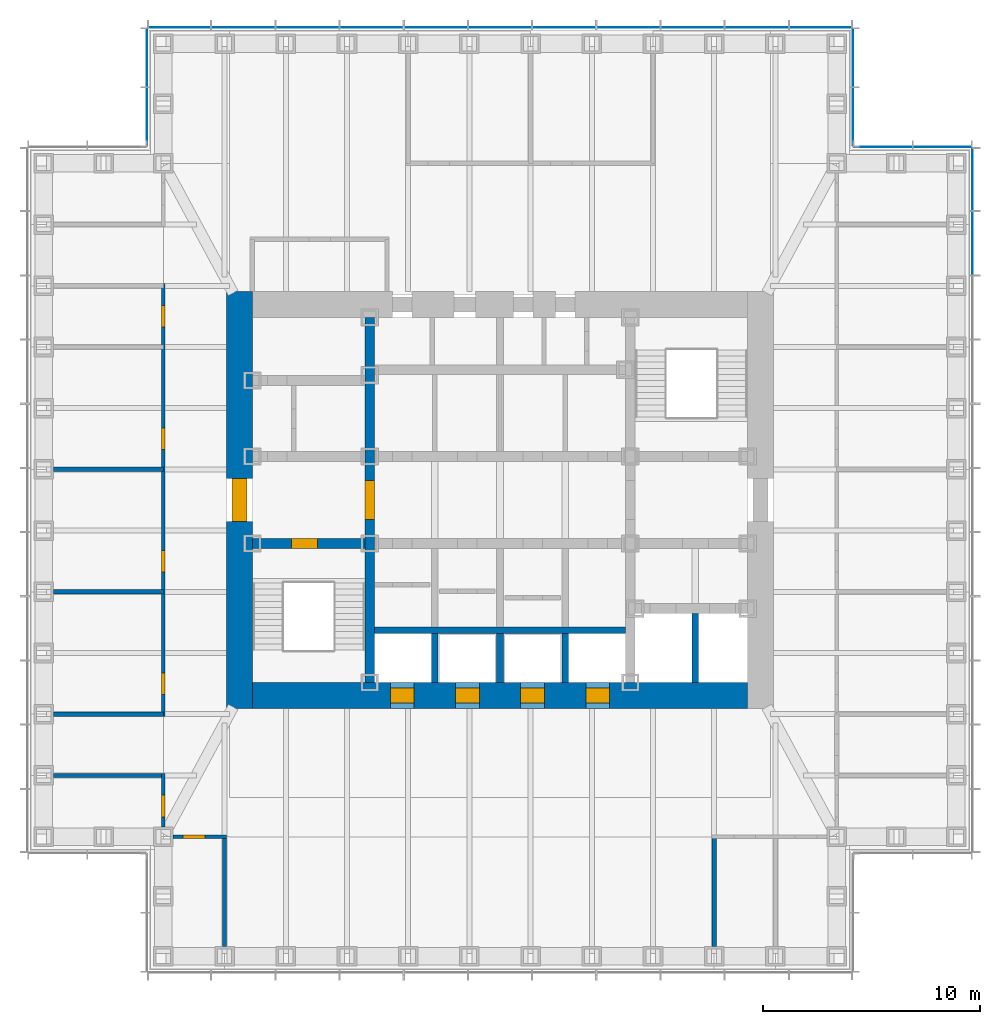
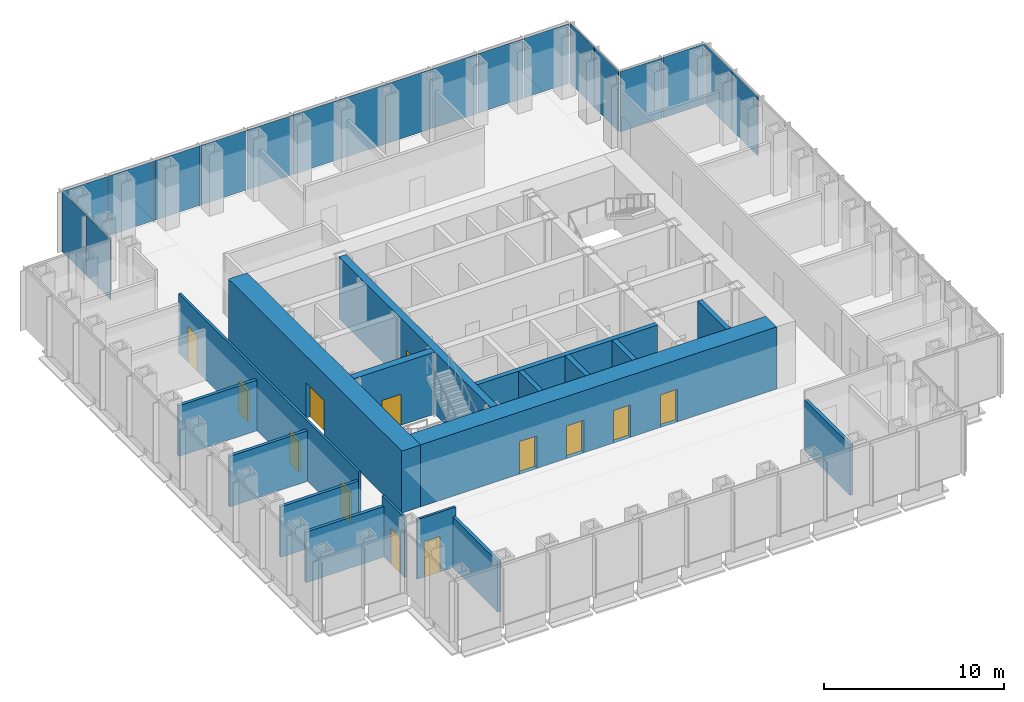
# One storey, part 8 of 17: 19 plates, 18 walls, 13 doors, 13 openings, 5 elements without a shape of their own.
"""IFC4 building model written with IfcOpenShell, lengths in metres."""

from ifc_helpers import new_model, si_unit, direction, frame, frame_2d, origin, origin_2d, place, context, subcontext, project, spatial, rectangle, extrude, material, layer, layer_set, type_object, element, fill, aggregate, save


model = new_model("IFC4")

# Units and contexts
model_context = context("Model", 3, precision=1e-05, world=origin(), true_north=direction((0.0, 1.0)))
body_context = subcontext(model_context, "Body", "Model", "MODEL_VIEW")
ifc_project = project(units=[si_unit("LENGTHUNIT", "METRE"), si_unit("AREAUNIT", "SQUARE_METRE"), si_unit("VOLUMEUNIT", "CUBIC_METRE"), si_unit("PLANEANGLEUNIT", "RADIAN"), si_unit("MASSUNIT", "GRAM", prefix="KILO")], contexts=[model_context])

# Site, building, storey
site_placement = place(None, origin())
site = spatial("IfcSite", under=ifc_project, at=site_placement, CompositionType="ELEMENT")
building_placement = place(site_placement, origin())
building = spatial("IfcBuilding", under=site, at=building_placement, Name="Daluyong Arena Tower", CompositionType="ELEMENT")
storey_placement = place(building_placement, frame((0.0, 0.0, 193.89990234375)))
storey = spatial("IfcBuildingStorey", under=building, at=storey_placement, Name="L43", CompositionType="ELEMENT", Elevation=193.89990234375)

# Curtain wall, plates
ifc_material_1 = material(Name="Bronze anodised aluminium and glass", Category="aluminium")
curtain_wall_type_1 = type_object("IfcCurtainWallType", Name="Curtain wall CW3", PredefinedType="USERDEFINED", material=ifc_material_1)
curtain_wall_1_placement = place(storey_placement, origin())
curtain_wall_1 = element("IfcCurtainWall", 1, at=curtain_wall_1_placement, inside=storey, type_object=curtain_wall_type_1, Name="curtain wall L43 E", ObjectType="UNITISED CURTAIN WALL", PredefinedType="USERDEFINED")
ifc_material_2 = material(Name="Tinted double glazed unit", Category="glass")
ifc_layer_1 = layer(ifc_material_2, 0.030029296875)
ifc_layer_set_1 = layer_set([ifc_layer_1], Name="Tinted double glazed unit")
plate_type_1 = type_object("IfcPlateType", Name="CW3 panel 30", PredefinedType="CURTAIN_PANEL", material=ifc_layer_set_1)
plate_1_placement = place(storey_placement, frame((77.75, 91.818115234375, 0.0), z_axis=(0.0, 0.0, 1.0), x_axis=(0.0, 1.0, 0.0)))
plate_1 = element("IfcPlate", 2, at=plate_1_placement, type_object=plate_type_1, Name="curtain wall L43 E panel 10", PredefinedType="CURTAIN_PANEL", context=body_context, shape_type="SweptSolid", body=[
    extrude(rectangle(XDim=2.884521484375, YDim=0.030029296875, at=origin_2d()), origin(), (0.0, 0.0, 1.0), 4.0400390625),
])
plate_2_placement = place(storey_placement, frame((77.75, 94.755126953125, 0.0), z_axis=(0.0, 0.0, 1.0), x_axis=(0.0, 1.0, 0.0)))
plate_2 = element("IfcPlate", 3, at=plate_2_placement, type_object=plate_type_1, Name="curtain wall L43 E panel 11", PredefinedType="CURTAIN_PANEL", context=body_context, shape_type="SweptSolid", body=[
    extrude(rectangle(XDim=2.849609375, YDim=0.030029296875, at=origin_2d()), origin(), (0.0, 0.0, 1.0), 4.0400390625),
])
aggregate(curtain_wall_1, [plate_1, plate_2])

curtain_wall_2_placement = place(storey_placement, origin())
curtain_wall_2 = element("IfcCurtainWall", 4, at=curtain_wall_2_placement, inside=storey, type_object=curtain_wall_type_1, Name="curtain wall L43 N", ObjectType="UNITISED CURTAIN WALL", PredefinedType="USERDEFINED")
plate_3_placement = place(storey_placement, frame((70.755126953125, 101.75, 0.0), z_axis=(0.0, 0.0, 1.0), x_axis=(-1.0, 0.0, 0.0)))
plate_3 = element("IfcPlate", 5, at=plate_3_placement, type_object=plate_type_1, Name="curtain wall L43 N panel 1", PredefinedType="CURTAIN_PANEL", context=body_context, shape_type="SweptSolid", body=[
    extrude(rectangle(XDim=2.849609375, YDim=0.030029296875, at=origin_2d()), origin(), (0.0, 0.0, 1.0), 4.0400390625),
])
plate_4_placement = place(storey_placement, frame((67.818115234375, 101.75, 0.0), z_axis=(0.0, 0.0, 1.0), x_axis=(-1.0, 0.0, 0.0)))
plate_4 = element("IfcPlate", 6, at=plate_4_placement, type_object=plate_type_1, Name="curtain wall L43 N panel 2", PredefinedType="CURTAIN_PANEL", context=body_context, shape_type="SweptSolid", body=[
    extrude(rectangle(XDim=2.884521484375, YDim=0.030029296875, at=origin_2d()), origin(), (0.0, 0.0, 1.0), 4.0400390625),
])
plate_5_placement = place(storey_placement, frame((64.863525390625, 101.75, 0.0), z_axis=(0.0, 0.0, 1.0), x_axis=(-1.0, 0.0, 0.0)))
plate_5 = element("IfcPlate", 7, at=plate_5_placement, type_object=plate_type_1, Name="curtain wall L43 N panel 3", PredefinedType="CURTAIN_PANEL", context=body_context, shape_type="SweptSolid", body=[
    extrude(rectangle(XDim=2.884521484375, YDim=0.030029296875, at=origin_2d()), origin(), (0.0, 0.0, 1.0), 4.0400390625),
])
plate_6_placement = place(storey_placement, frame((61.9091796875, 101.75, 0.0), z_axis=(0.0, 0.0, 1.0), x_axis=(-1.0, 0.0, 0.0)))
plate_6 = element("IfcPlate", 8, at=plate_6_placement, type_object=plate_type_1, Name="curtain wall L43 N panel 4", PredefinedType="CURTAIN_PANEL", context=body_context, shape_type="SweptSolid", body=[
    extrude(rectangle(XDim=2.884521484375, YDim=0.030029296875, at=origin_2d()), origin(), (0.0, 0.0, 1.0), 4.0400390625),
])
plate_7_placement = place(storey_placement, frame((58.95458984375, 101.75, 0.0), z_axis=(0.0, 0.0, 1.0), x_axis=(-1.0, 0.0, 0.0)))
plate_7 = element("IfcPlate", 9, at=plate_7_placement, type_object=plate_type_1, Name="curtain wall L43 N panel 5", PredefinedType="CURTAIN_PANEL", context=body_context, shape_type="SweptSolid", body=[
    extrude(rectangle(XDim=2.884521484375, YDim=0.030029296875, at=origin_2d()), origin(), (0.0, 0.0, 1.0), 4.0400390625),
])
plate_8_placement = place(storey_placement, frame((56.0, 101.75, 0.0), z_axis=(0.0, 0.0, 1.0), x_axis=(-1.0, 0.0, 0.0)))
plate_8 = element("IfcPlate", 10, at=plate_8_placement, type_object=plate_type_1, Name="curtain wall L43 N panel 6", PredefinedType="CURTAIN_PANEL", context=body_context, shape_type="SweptSolid", body=[
    extrude(rectangle(XDim=2.884521484375, YDim=0.030029296875, at=origin_2d()), origin(), (0.0, 0.0, 1.0), 4.0400390625),
])
plate_9_placement = place(storey_placement, frame((53.04541015625, 101.75, 0.0), z_axis=(0.0, 0.0, 1.0), x_axis=(-1.0, 0.0, 0.0)))
plate_9 = element("IfcPlate", 11, at=plate_9_placement, type_object=plate_type_1, Name="curtain wall L43 N panel 7", PredefinedType="CURTAIN_PANEL", context=body_context, shape_type="SweptSolid", body=[
    extrude(rectangle(XDim=2.884521484375, YDim=0.030029296875, at=origin_2d()), origin(), (0.0, 0.0, 1.0), 4.0400390625),
])
plate_10_placement = place(storey_placement, frame((50.0908203125, 101.75, 0.0), z_axis=(0.0, 0.0, 1.0), x_axis=(-1.0, 0.0, 0.0)))
plate_10 = element("IfcPlate", 12, at=plate_10_placement, type_object=plate_type_1, Name="curtain wall L43 N panel 8", PredefinedType="CURTAIN_PANEL", context=body_context, shape_type="SweptSolid", body=[
    extrude(rectangle(XDim=2.884521484375, YDim=0.030029296875, at=origin_2d()), origin(), (0.0, 0.0, 1.0), 4.0400390625),
])
plate_11_placement = place(storey_placement, frame((47.136474609375, 101.75, 0.0), z_axis=(0.0, 0.0, 1.0), x_axis=(-1.0, 0.0, 0.0)))
plate_11 = element("IfcPlate", 13, at=plate_11_placement, type_object=plate_type_1, Name="curtain wall L43 N panel 9", PredefinedType="CURTAIN_PANEL", context=body_context, shape_type="SweptSolid", body=[
    extrude(rectangle(XDim=2.884521484375, YDim=0.030029296875, at=origin_2d()), origin(), (0.0, 0.0, 1.0), 4.0400390625),
])
plate_12_placement = place(storey_placement, frame((44.181884765625, 101.75, 0.0), z_axis=(0.0, 0.0, 1.0), x_axis=(-1.0, 0.0, 0.0)))
plate_12 = element("IfcPlate", 14, at=plate_12_placement, type_object=plate_type_1, Name="curtain wall L43 N panel 10", PredefinedType="CURTAIN_PANEL", context=body_context, shape_type="SweptSolid", body=[
    extrude(rectangle(XDim=2.884521484375, YDim=0.030029296875, at=origin_2d()), origin(), (0.0, 0.0, 1.0), 4.0400390625),
])
plate_13_placement = place(storey_placement, frame((41.244873046875, 101.75, 0.0), z_axis=(0.0, 0.0, 1.0), x_axis=(-1.0, 0.0, 0.0)))
plate_13 = element("IfcPlate", 15, at=plate_13_placement, type_object=plate_type_1, Name="curtain wall L43 N panel 11", PredefinedType="CURTAIN_PANEL", context=body_context, shape_type="SweptSolid", body=[
    extrude(rectangle(XDim=2.849609375, YDim=0.030029296875, at=origin_2d()), origin(), (0.0, 0.0, 1.0), 4.0400390625),
])
aggregate(curtain_wall_2, [plate_3, plate_4, plate_5, plate_6, plate_7, plate_8, plate_9, plate_10, plate_11, plate_12, plate_13])

ifc_material_3 = material(Name="Bronze anodised aluminium and glass", Category="aluminium")
curtain_wall_type_2 = type_object("IfcCurtainWallType", Name="Curtain wall CW7", PredefinedType="USERDEFINED", material=ifc_material_3)
curtain_wall_3_placement = place(storey_placement, origin())
curtain_wall_3 = element("IfcCurtainWall", 16, at=curtain_wall_3_placement, inside=storey, type_object=curtain_wall_type_2, Name="curtain wall L43 NE-N", ObjectType="UNITISED CURTAIN WALL", PredefinedType="USERDEFINED")
ifc_material_4 = material(Name="Tinted double glazed unit", Category="glass")
ifc_layer_2 = layer(ifc_material_4, 0.028076171875)
ifc_layer_set_2 = layer_set([ifc_layer_2], Name="Tinted double glazed unit")
plate_type_2 = type_object("IfcPlateType", Name="CW7 panel 28", PredefinedType="CURTAIN_PANEL", material=ifc_layer_set_2)
plate_14_placement = place(storey_placement, frame((76.360107421875, 96.25, 0.0), z_axis=(0.0, 0.0, 1.0), x_axis=(-1.0, 0.0, 0.0)))
plate_14 = element("IfcPlate", 17, at=plate_14_placement, type_object=plate_type_2, Name="curtain wall L43 NE-N panel 1", PredefinedType="CURTAIN_PANEL", context=body_context, shape_type="SweptSolid", body=[
    extrude(rectangle(XDim=2.659912109375, YDim=0.028076171875, at=origin_2d()), origin(), (0.0, 0.0, 1.0), 4.080078125),
])
plate_15_placement = place(storey_placement, frame((73.639892578125, 96.25, 0.0), z_axis=(0.0, 0.0, 1.0), x_axis=(-1.0, 0.0, 0.0)))
plate_15 = element("IfcPlate", 18, at=plate_15_placement, type_object=plate_type_2, Name="curtain wall L43 NE-N panel 2", PredefinedType="CURTAIN_PANEL", context=body_context, shape_type="SweptSolid", body=[
    extrude(rectangle(XDim=2.659912109375, YDim=0.028076171875, at=origin_2d()), origin(), (0.0, 0.0, 1.0), 4.080078125),
])
aggregate(curtain_wall_3, [plate_14, plate_15])

curtain_wall_4_placement = place(storey_placement, origin())
curtain_wall_4 = element("IfcCurtainWall", 19, at=curtain_wall_4_placement, inside=storey, type_object=curtain_wall_type_2, Name="curtain wall L43 NE-E", ObjectType="UNITISED CURTAIN WALL", PredefinedType="USERDEFINED")
plate_16_placement = place(storey_placement, frame((72.25, 97.639892578125, 0.0), z_axis=(0.0, 0.0, 1.0), x_axis=(0.0, 1.0, 0.0)))
plate_16 = element("IfcPlate", 20, at=plate_16_placement, type_object=plate_type_2, Name="curtain wall L43 NE-E panel 1", PredefinedType="CURTAIN_PANEL", context=body_context, shape_type="SweptSolid", body=[
    extrude(rectangle(XDim=2.659912109375, YDim=0.028076171875, at=origin_2d()), origin(), (0.0, 0.0, 1.0), 4.080078125),
])
plate_17_placement = place(storey_placement, frame((72.25, 100.360107421875, 0.0), z_axis=(0.0, 0.0, 1.0), x_axis=(0.0, 1.0, 0.0)))
plate_17 = element("IfcPlate", 21, at=plate_17_placement, type_object=plate_type_2, Name="curtain wall L43 NE-E panel 2", PredefinedType="CURTAIN_PANEL", context=body_context, shape_type="SweptSolid", body=[
    extrude(rectangle(XDim=2.659912109375, YDim=0.028076171875, at=origin_2d()), origin(), (0.0, 0.0, 1.0), 4.080078125),
])
aggregate(curtain_wall_4, [plate_16, plate_17])

curtain_wall_5_placement = place(storey_placement, origin())
curtain_wall_5 = element("IfcCurtainWall", 22, at=curtain_wall_5_placement, inside=storey, type_object=curtain_wall_type_2, Name="curtain wall L43 NW-W", ObjectType="UNITISED CURTAIN WALL", PredefinedType="USERDEFINED")
plate_18_placement = place(storey_placement, frame((39.75, 100.360107421875, 0.0), z_axis=(0.0, 0.0, 1.0), x_axis=(0.0, -1.0, 0.0)))
plate_18 = element("IfcPlate", 23, at=plate_18_placement, type_object=plate_type_2, Name="curtain wall L43 NW-W panel 1", PredefinedType="CURTAIN_PANEL", context=body_context, shape_type="SweptSolid", body=[
    extrude(rectangle(XDim=2.659912109375, YDim=0.028076171875, at=origin_2d()), origin(), (0.0, 0.0, 1.0), 4.080078125),
])
plate_19_placement = place(storey_placement, frame((39.75, 97.639892578125, 0.0), z_axis=(0.0, 0.0, 1.0), x_axis=(0.0, -1.0, 0.0)))
plate_19 = element("IfcPlate", 24, at=plate_19_placement, type_object=plate_type_2, Name="curtain wall L43 NW-W panel 2", PredefinedType="CURTAIN_PANEL", context=body_context, shape_type="SweptSolid", body=[
    extrude(rectangle(XDim=2.659912109375, YDim=0.028076171875, at=origin_2d()), origin(), (0.0, 0.0, 1.0), 4.080078125),
])
aggregate(curtain_wall_5, [plate_18, plate_19])

# Wall, opening, door
ifc_material_5 = material(Name="Concrete fc' 45 MPa", Category="concrete")
ifc_layer_3 = layer(ifc_material_5, 0.449951171875)
ifc_layer_set_3 = layer_set([ifc_layer_3], Name="Concrete fc' 45 MPa")
wall_type_1 = type_object("IfcWallType", Name="Core inner wall 450", PredefinedType="SHEAR", material=ifc_layer_set_3)
wall_1_placement = place(storey_placement, frame((50.0, 71.60009765625, 0.0), z_axis=(0.0, 0.0, 1.0), x_axis=(0.0, 1.0, 0.0)))
wall_1 = element("IfcWall", 25, at=wall_1_placement, inside=storey, type_object=wall_type_1, Name="core inner wall at L43", PredefinedType="SHEAR", context=body_context, shape_type="SweptSolid", body=[
    extrude(rectangle(XDim=16.7998046875, YDim=0.449951171875, at=frame_2d((8.39990234375, 0.0))), origin(), (0.0, 0.0, 1.0), 4.2001953125),
])
opening_1_placement = place(wall_1_placement, frame((7.5, 0.0, 0.0)))
opening_1 = element("IfcOpeningElement", 26, at=opening_1_placement, cuts=wall_1, Name="Opening 43024", PredefinedType="OPENING", context=body_context, shape_type="SweptSolid", body=[
    extrude(rectangle(XDim=1.800048828125, YDim=2.39990234375, at=frame_2d((0.89990234375, 1.199951171875))), frame((0.0, 0.23486328125, 0.0), z_axis=(0.0, -1.0, 0.0), x_axis=(1.0, 0.0, 0.0)), (0.0, 0.0, 1.0), 0.469970703125),
])
ifc_material_6 = material(Name="Steel door, fire rated", Category="steel")
door_type_1 = type_object("IfcDoorType", Name="Lift lobby opening door 1800", OperationType="DOUBLE_DOOR_SINGLE_SWING", PredefinedType="DOOR", material=ifc_material_6)
door_1_placement = place(opening_1_placement, origin())
door_1 = element("IfcDoor", 27, at=door_1_placement, inside=storey, type_object=door_type_1, Name="lift lobby door west 43024", OperationType="DOUBLE_DOOR_SINGLE_SWING", OverallHeight=2.39990234375, OverallWidth=1.800048828125, PredefinedType="DOOR", context=body_context, shape_type="SweptSolid", body=[
    extrude(rectangle(XDim=1.800048828125, YDim=2.39990234375, at=frame_2d((0.89990234375, 1.199951171875))), frame((0.0, 0.224609375, 0.0), z_axis=(0.0, -1.0, 0.0), x_axis=(1.0, 0.0, 0.0)), (0.0, 0.0, 1.0), 0.449462890625),
])
fill(opening_1, door_1)

wall_2_placement = place(storey_placement, frame((44.60009765625, 78.0, 0.0), z_axis=(0.0, 0.0, 1.0), x_axis=(1.0, 0.0, 0.0)))
wall_2 = element("IfcWall", 28, at=wall_2_placement, inside=storey, type_object=wall_type_1, Name="core inner wall at L43", PredefinedType="SHEAR", context=body_context, shape_type="SweptSolid", body=[
    extrude(rectangle(XDim=5.1748046875, YDim=0.449951171875, at=frame_2d((2.58740234375, 0.0))), origin(), (0.0, 0.0, 1.0), 4.2001953125),
])
opening_2_placement = place(wall_2_placement, frame((1.800048828125, 0.0, 0.0)))
opening_2 = element("IfcOpeningElement", 29, at=opening_2_placement, cuts=wall_2, Name="Opening 43020", PredefinedType="OPENING", context=body_context, shape_type="SweptSolid", body=[
    extrude(rectangle(XDim=1.199951171875, YDim=2.10009765625, at=frame_2d((0.60009765625, 1.050048828125))), frame((0.0, 0.23486328125, 0.0), z_axis=(0.0, -1.0, 0.0), x_axis=(1.0, 0.0, 0.0)), (0.0, 0.0, 1.0), 0.469970703125),
])
ifc_material_7 = material(Name="Steel door, fire rated", Category="steel")
door_type_2 = type_object("IfcDoorType", Name="Stair door 1200", OperationType="SINGLE_SWING_LEFT", PredefinedType="DOOR", material=ifc_material_7)
door_2_placement = place(opening_2_placement, origin())
door_2 = element("IfcDoor", 30, at=door_2_placement, inside=storey, type_object=door_type_2, Name="stair A door 43020", OperationType="SINGLE_SWING_LEFT", OverallHeight=2.10009765625, OverallWidth=1.199951171875, PredefinedType="DOOR", context=body_context, shape_type="SweptSolid", body=[
    extrude(rectangle(XDim=1.199951171875, YDim=2.10009765625, at=frame_2d((0.60009765625, 1.050048828125))), frame((0.0, 0.224609375, 0.0), z_axis=(0.0, -1.0, 0.0), x_axis=(1.0, 0.0, 0.0)), (0.0, 0.0, 1.0), 0.449462890625),
])
fill(opening_2, door_2)

ifc_material_8 = material(Name="Concrete fc' 60 MPa", Category="concrete")
ifc_layer_4 = layer(ifc_material_8, 1.199951171875)
ifc_layer_set_4 = layer_set([ifc_layer_4], Name="Concrete fc' 60 MPa")
wall_type_2 = type_object("IfcWallType", Name="Core wall 1200", PredefinedType="SHEAR", material=ifc_layer_set_4)
wall_3_placement = place(storey_placement, frame((44.0, 70.39990234375, 0.0), z_axis=(0.0, 0.0, 1.0), x_axis=(0.0, 1.0, 0.0)))
wall_3 = element("IfcWall", 31, at=wall_3_placement, inside=storey, type_object=wall_type_2, Name="core wall at L43", PredefinedType="SHEAR", context=body_context, shape_type="SweptSolid", body=[
    extrude(rectangle(XDim=19.2001953125, YDim=1.199951171875, at=frame_2d((9.60009765625, 0.0))), origin(), (0.0, 0.0, 1.0), 4.2001953125),
])
opening_3_placement = place(wall_3_placement, frame((8.60009765625, 0.0, 0.0)))
opening_3 = element("IfcOpeningElement", 32, at=opening_3_placement, cuts=wall_3, Name="Opening 43022", PredefinedType="OPENING", context=body_context, shape_type="SweptSolid", body=[
    extrude(rectangle(XDim=2.0, YDim=2.39990234375, at=frame_2d((1.0, 1.199951171875))), frame((0.0, 0.60986328125, 0.0), z_axis=(0.0, -1.0, 0.0), x_axis=(1.0, 0.0, 0.0)), (0.0, 0.0, 1.0), 1.219970703125),
])
ifc_material_9 = material(Name="Steel door, fire rated", Category="steel")
door_type_3 = type_object("IfcDoorType", Name="Core lobby double door 2000", OperationType="DOUBLE_DOOR_SINGLE_SWING", PredefinedType="DOOR", material=ifc_material_9)
door_3_placement = place(opening_3_placement, origin())
door_3 = element("IfcDoor", 33, at=door_3_placement, inside=storey, type_object=door_type_3, Name="core lobby door west 43022", OperationType="DOUBLE_DOOR_SINGLE_SWING", OverallHeight=2.39990234375, OverallWidth=2.0, PredefinedType="DOOR", context=body_context, shape_type="SweptSolid", body=[
    extrude(rectangle(XDim=2.0, YDim=2.39990234375, at=frame_2d((1.0, 1.199951171875))), frame((0.0, 0.35009765625, 0.0), z_axis=(0.0, -1.0, 0.0), x_axis=(1.0, 0.0, 0.0)), (0.0, 0.0, 1.0), 0.699951171875),
])
fill(opening_3, door_3)

# Wall, openings, doors
wall_4_placement = place(storey_placement, frame((44.60009765625, 71.0, 0.0), z_axis=(0.0, 0.0, 1.0), x_axis=(1.0, 0.0, 0.0)))
wall_4 = element("IfcWall", 34, at=wall_4_placement, inside=storey, type_object=wall_type_2, Name="core wall at L43", PredefinedType="SHEAR", context=body_context, shape_type="SweptSolid", body=[
    extrude(rectangle(XDim=22.7998046875, YDim=1.199951171875, at=frame_2d((11.39990234375, 0.0))), origin(), (0.0, 0.0, 1.0), 4.2001953125),
])
opening_4_placement = place(wall_4_placement, frame((6.35009765625, 0.0, 0.0)))
opening_4 = element("IfcOpeningElement", 35, at=opening_4_placement, cuts=wall_4, Name="Opening 43027", PredefinedType="OPENING", context=body_context, shape_type="SweptSolid", body=[
    extrude(rectangle(XDim=1.10009765625, YDim=2.199951171875, at=frame_2d((0.550048828125, 1.10009765625))), frame((0.0, 0.60986328125, 0.0), z_axis=(0.0, -1.0, 0.0), x_axis=(1.0, 0.0, 0.0)), (0.0, 0.0, 1.0), 1.219970703125),
])
opening_5_placement = place(wall_4_placement, frame((9.35009765625, 0.0, 0.0)))
opening_5 = element("IfcOpeningElement", 36, at=opening_5_placement, cuts=wall_4, Name="Opening 43028", PredefinedType="OPENING", context=body_context, shape_type="SweptSolid", body=[
    extrude(rectangle(XDim=1.10009765625, YDim=2.199951171875, at=frame_2d((0.550048828125, 1.10009765625))), frame((0.0, 0.60986328125, 0.0), z_axis=(0.0, -1.0, 0.0), x_axis=(1.0, 0.0, 0.0)), (0.0, 0.0, 1.0), 1.219970703125),
])
opening_6_placement = place(wall_4_placement, frame((12.35009765625, 0.0, 0.0)))
opening_6 = element("IfcOpeningElement", 37, at=opening_6_placement, cuts=wall_4, Name="Opening 43029", PredefinedType="OPENING", context=body_context, shape_type="SweptSolid", body=[
    extrude(rectangle(XDim=1.10009765625, YDim=2.199951171875, at=frame_2d((0.550048828125, 1.10009765625))), frame((0.0, 0.60986328125, 0.0), z_axis=(0.0, -1.0, 0.0), x_axis=(1.0, 0.0, 0.0)), (0.0, 0.0, 1.0), 1.219970703125),
])
opening_7_placement = place(wall_4_placement, frame((15.35009765625, 0.0, 0.0)))
opening_7 = element("IfcOpeningElement", 38, at=opening_7_placement, cuts=wall_4, Name="Opening 43030", PredefinedType="OPENING", context=body_context, shape_type="SweptSolid", body=[
    extrude(rectangle(XDim=1.10009765625, YDim=2.199951171875, at=frame_2d((0.550048828125, 1.10009765625))), frame((0.0, 0.60986328125, 0.0), z_axis=(0.0, -1.0, 0.0), x_axis=(1.0, 0.0, 0.0)), (0.0, 0.0, 1.0), 1.219970703125),
])
ifc_material_10 = material(Name="Steel door, fire rated", Category="steel")
door_type_4 = type_object("IfcDoorType", Name="Lift landing door 1100", OperationType="SLIDING_TO_LEFT", PredefinedType="DOOR", material=ifc_material_10)
door_4_placement = place(opening_4_placement, origin())
door_4 = element("IfcDoor", 39, at=door_4_placement, inside=storey, type_object=door_type_4, Name="lift landing door C1 43027", OperationType="SLIDING_TO_LEFT", OverallHeight=2.199951171875, OverallWidth=1.10009765625, PredefinedType="DOOR", context=body_context, shape_type="SweptSolid", body=[
    extrude(rectangle(XDim=1.10009765625, YDim=2.199951171875, at=frame_2d((0.550048828125, 1.10009765625))), frame((0.0, 0.35009765625, 0.0), z_axis=(0.0, -1.0, 0.0), x_axis=(1.0, 0.0, 0.0)), (0.0, 0.0, 1.0), 0.699951171875),
])
fill(opening_4, door_4)
door_5_placement = place(opening_5_placement, origin())
door_5 = element("IfcDoor", 40, at=door_5_placement, inside=storey, type_object=door_type_4, Name="lift landing door C2 43028", OperationType="SLIDING_TO_LEFT", OverallHeight=2.199951171875, OverallWidth=1.10009765625, PredefinedType="DOOR", context=body_context, shape_type="SweptSolid", body=[
    extrude(rectangle(XDim=1.10009765625, YDim=2.199951171875, at=frame_2d((0.550048828125, 1.10009765625))), frame((0.0, 0.35009765625, 0.0), z_axis=(0.0, -1.0, 0.0), x_axis=(1.0, 0.0, 0.0)), (0.0, 0.0, 1.0), 0.699951171875),
])
fill(opening_5, door_5)
door_6_placement = place(opening_6_placement, origin())
door_6 = element("IfcDoor", 41, at=door_6_placement, inside=storey, type_object=door_type_4, Name="lift landing door C3 43029", OperationType="SLIDING_TO_LEFT", OverallHeight=2.199951171875, OverallWidth=1.10009765625, PredefinedType="DOOR", context=body_context, shape_type="SweptSolid", body=[
    extrude(rectangle(XDim=1.10009765625, YDim=2.199951171875, at=frame_2d((0.550048828125, 1.10009765625))), frame((0.0, 0.35009765625, 0.0), z_axis=(0.0, -1.0, 0.0), x_axis=(1.0, 0.0, 0.0)), (0.0, 0.0, 1.0), 0.699951171875),
])
fill(opening_6, door_6)
door_7_placement = place(opening_7_placement, origin())
door_7 = element("IfcDoor", 42, at=door_7_placement, inside=storey, type_object=door_type_4, Name="lift landing door C4 43030", OperationType="SLIDING_TO_LEFT", OverallHeight=2.199951171875, OverallWidth=1.10009765625, PredefinedType="DOOR", context=body_context, shape_type="SweptSolid", body=[
    extrude(rectangle(XDim=1.10009765625, YDim=2.199951171875, at=frame_2d((0.550048828125, 1.10009765625))), frame((0.0, 0.35009765625, 0.0), z_axis=(0.0, -1.0, 0.0), x_axis=(1.0, 0.0, 0.0)), (0.0, 0.0, 1.0), 0.699951171875),
])
fill(opening_7, door_7)

# Wall, opening, door
ifc_material_11 = material(Name="Glazed aluminium partition", Category="aluminium")
ifc_layer_5 = layer(ifc_material_11, 0.14990234375)
ifc_layer_set_5 = layer_set([ifc_layer_5], Name="Glazed aluminium partition")
wall_type_3 = type_object("IfcWallType", Name="Glazed partition 150", PredefinedType="PARTITIONING", material=ifc_layer_set_5)
wall_5_placement = place(storey_placement, frame((40.949951171875, 64.5, 0.0), z_axis=(0.0, 0.0, 1.0), x_axis=(1.0, 0.0, 0.0)))
wall_5 = element("IfcWall", 43, at=wall_5_placement, inside=storey, type_object=wall_type_3, Name="glazed partition at L43", PredefinedType="PARTITIONING", context=body_context, shape_type="SweptSolid", body=[
    extrude(rectangle(XDim=2.46826171875, YDim=0.14990234375, at=frame_2d((1.234130859375, 0.0))), origin(), (0.0, 0.0, 1.0), 4.0400390625),
])
opening_8_placement = place(wall_5_placement, frame((0.458984375, 0.0, 0.0)))
opening_8 = element("IfcOpeningElement", 44, at=opening_8_placement, cuts=wall_5, Name="Opening 43033", PredefinedType="OPENING", context=body_context, shape_type="SweptSolid", body=[
    extrude(rectangle(XDim=1.0, YDim=2.39990234375, at=frame_2d((0.5, 1.199951171875))), frame((0.0, 0.0849609375, 0.0), z_axis=(0.0, -1.0, 0.0), x_axis=(1.0, 0.0, 0.0)), (0.0, 0.0, 1.0), 0.169921875),
])
ifc_material_12 = material(Name="Glazed aluminium door", Category="aluminium")
door_type_5 = type_object("IfcDoorType", Name="Meeting room glazed door 1000", OperationType="SINGLE_SWING_RIGHT", PredefinedType="DOOR", material=ifc_material_12)
door_8_placement = place(opening_8_placement, origin())
door_8 = element("IfcDoor", 45, at=door_8_placement, inside=storey, type_object=door_type_5, Name="focus room door 43033", OperationType="SINGLE_SWING_RIGHT", OverallHeight=2.39990234375, OverallWidth=1.0, PredefinedType="DOOR", context=body_context, shape_type="SweptSolid", body=[
    extrude(rectangle(XDim=1.0, YDim=2.39990234375, at=frame_2d((0.5, 1.199951171875))), frame((0.0, 0.07470703125, 0.0), z_axis=(0.0, -1.0, 0.0), x_axis=(1.0, 0.0, 0.0)), (0.0, 0.0, 1.0), 0.1494140625),
])
fill(opening_8, door_8)

wall_6_placement = place(storey_placement, frame((40.5, 64.949951171875, 0.0), z_axis=(0.0, 0.0, 1.0), x_axis=(0.0, 1.0, 0.0)))
wall_6 = element("IfcWall", 46, at=wall_6_placement, inside=storey, type_object=wall_type_3, Name="glazed partition at L43", PredefinedType="PARTITIONING", context=body_context, shape_type="SweptSolid", body=[
    extrude(rectangle(XDim=2.46826171875, YDim=0.14990234375, at=frame_2d((1.234130859375, 0.0))), origin(), (0.0, 0.0, 1.0), 4.0400390625),
])
opening_9_placement = place(wall_6_placement, frame((0.458984375, 0.0, 0.0)))
opening_9 = element("IfcOpeningElement", 47, at=opening_9_placement, cuts=wall_6, Name="Opening 43045", PredefinedType="OPENING", context=body_context, shape_type="SweptSolid", body=[
    extrude(rectangle(XDim=1.0, YDim=2.39990234375, at=frame_2d((0.5, 1.199951171875))), frame((0.0, 0.0849609375, 0.0), z_axis=(0.0, -1.0, 0.0), x_axis=(1.0, 0.0, 0.0)), (0.0, 0.0, 1.0), 0.169921875),
])
door_9_placement = place(opening_9_placement, origin())
door_9 = element("IfcDoor", 48, at=door_9_placement, inside=storey, type_object=door_type_5, Name="focus room door 43045", OperationType="SINGLE_SWING_RIGHT", OverallHeight=2.39990234375, OverallWidth=1.0, PredefinedType="DOOR", context=body_context, shape_type="SweptSolid", body=[
    extrude(rectangle(XDim=1.0, YDim=2.39990234375, at=frame_2d((0.5, 1.199951171875))), frame((0.0, 0.07470703125, 0.0), z_axis=(0.0, -1.0, 0.0), x_axis=(1.0, 0.0, 0.0)), (0.0, 0.0, 1.0), 0.1494140625),
])
fill(opening_9, door_9)

# Wall, openings, doors
wall_7_placement = place(storey_placement, frame((40.5, 70.036376953125, 0.0), z_axis=(0.0, 0.0, 1.0), x_axis=(0.0, 1.0, 0.0)))
wall_7 = element("IfcWall", 49, at=wall_7_placement, inside=storey, type_object=wall_type_3, Name="glazed partition at L43", PredefinedType="PARTITIONING", context=body_context, shape_type="SweptSolid", body=[
    extrude(rectangle(XDim=19.92724609375, YDim=0.14990234375, at=frame_2d((9.963623046875, 0.0))), origin(), (0.0, 0.0, 1.0), 4.0400390625),
])
opening_10_placement = place(wall_7_placement, frame((1.009033203125, 0.0, 0.0)))
opening_10 = element("IfcOpeningElement", 50, at=opening_10_placement, cuts=wall_7, Name="Opening 43046", PredefinedType="OPENING", context=body_context, shape_type="SweptSolid", body=[
    extrude(rectangle(XDim=1.0, YDim=2.10009765625, at=frame_2d((0.5, 1.050048828125))), frame((0.0, 0.0849609375, 0.0), z_axis=(0.0, -1.0, 0.0), x_axis=(1.0, 0.0, 0.0)), (0.0, 0.0, 1.0), 0.169921875),
])
opening_11_placement = place(wall_7_placement, frame((6.6455078125, 0.0, 0.0)))
opening_11 = element("IfcOpeningElement", 51, at=opening_11_placement, cuts=wall_7, Name="Opening 43047", PredefinedType="OPENING", context=body_context, shape_type="SweptSolid", body=[
    extrude(rectangle(XDim=1.0, YDim=2.10009765625, at=frame_2d((0.5, 1.050048828125))), frame((0.0, 0.0849609375, 0.0), z_axis=(0.0, -1.0, 0.0), x_axis=(1.0, 0.0, 0.0)), (0.0, 0.0, 1.0), 0.169921875),
])
opening_12_placement = place(wall_7_placement, frame((12.28173828125, 0.0, 0.0)))
opening_12 = element("IfcOpeningElement", 52, at=opening_12_placement, cuts=wall_7, Name="Opening 43048", PredefinedType="OPENING", context=body_context, shape_type="SweptSolid", body=[
    extrude(rectangle(XDim=1.0, YDim=2.10009765625, at=frame_2d((0.5, 1.050048828125))), frame((0.0, 0.0849609375, 0.0), z_axis=(0.0, -1.0, 0.0), x_axis=(1.0, 0.0, 0.0)), (0.0, 0.0, 1.0), 0.169921875),
])
opening_13_placement = place(wall_7_placement, frame((17.918212890625, 0.0, 0.0)))
opening_13 = element("IfcOpeningElement", 53, at=opening_13_placement, cuts=wall_7, Name="Opening 43049", PredefinedType="OPENING", context=body_context, shape_type="SweptSolid", body=[
    extrude(rectangle(XDim=1.0, YDim=2.39990234375, at=frame_2d((0.5, 1.199951171875))), frame((0.0, 0.0849609375, 0.0), z_axis=(0.0, -1.0, 0.0), x_axis=(1.0, 0.0, 0.0)), (0.0, 0.0, 1.0), 0.169921875),
])
door_10_placement = place(opening_13_placement, origin())
door_10 = element("IfcDoor", 54, at=door_10_placement, inside=storey, type_object=door_type_5, Name="focus room door 43049", OperationType="SINGLE_SWING_RIGHT", OverallHeight=2.39990234375, OverallWidth=1.0, PredefinedType="DOOR", context=body_context, shape_type="SweptSolid", body=[
    extrude(rectangle(XDim=1.0, YDim=2.39990234375, at=frame_2d((0.5, 1.199951171875))), frame((0.0, 0.07470703125, 0.0), z_axis=(0.0, -1.0, 0.0), x_axis=(1.0, 0.0, 0.0)), (0.0, 0.0, 1.0), 0.1494140625),
])
fill(opening_13, door_10)
ifc_material_13 = material(Name="Timber door", Category="wood")
door_type_6 = type_object("IfcDoorType", Name="Room door 1000", OperationType="SINGLE_SWING_LEFT", PredefinedType="DOOR", material=ifc_material_13)
door_11_placement = place(opening_10_placement, origin())
door_11 = element("IfcDoor", 55, at=door_11_placement, inside=storey, type_object=door_type_6, Name="office door 43046", OperationType="SINGLE_SWING_LEFT", OverallHeight=2.10009765625, OverallWidth=1.0, PredefinedType="DOOR", context=body_context, shape_type="SweptSolid", body=[
    extrude(rectangle(XDim=1.0, YDim=2.10009765625, at=frame_2d((0.5, 1.050048828125))), frame((0.0, 0.07470703125, 0.0), z_axis=(0.0, -1.0, 0.0), x_axis=(1.0, 0.0, 0.0)), (0.0, 0.0, 1.0), 0.1494140625),
])
fill(opening_10, door_11)
door_12_placement = place(opening_11_placement, origin())
door_12 = element("IfcDoor", 56, at=door_12_placement, inside=storey, type_object=door_type_6, Name="office door 43047", OperationType="SINGLE_SWING_LEFT", OverallHeight=2.10009765625, OverallWidth=1.0, PredefinedType="DOOR", context=body_context, shape_type="SweptSolid", body=[
    extrude(rectangle(XDim=1.0, YDim=2.10009765625, at=frame_2d((0.5, 1.050048828125))), frame((0.0, 0.07470703125, 0.0), z_axis=(0.0, -1.0, 0.0), x_axis=(1.0, 0.0, 0.0)), (0.0, 0.0, 1.0), 0.1494140625),
])
fill(opening_11, door_12)
door_13_placement = place(opening_12_placement, origin())
door_13 = element("IfcDoor", 57, at=door_13_placement, inside=storey, type_object=door_type_6, Name="office door 43048", OperationType="SINGLE_SWING_LEFT", OverallHeight=2.10009765625, OverallWidth=1.0, PredefinedType="DOOR", context=body_context, shape_type="SweptSolid", body=[
    extrude(rectangle(XDim=1.0, YDim=2.10009765625, at=frame_2d((0.5, 1.050048828125))), frame((0.0, 0.07470703125, 0.0), z_axis=(0.0, -1.0, 0.0), x_axis=(1.0, 0.0, 0.0)), (0.0, 0.0, 1.0), 0.1494140625),
])
fill(opening_12, door_13)

# Walls
ifc_material_14 = material(Name="Concrete fc' 45 MPa", Category="concrete")
ifc_layer_6 = layer(ifc_material_14, 0.300048828125)
ifc_layer_set_6 = layer_set([ifc_layer_6], Name="Concrete fc' 45 MPa")
wall_type_4 = type_object("IfcWallType", Name="Lift shaft wall 300", PredefinedType="SHEAR", material=ifc_layer_set_6)
wall_8_placement = place(storey_placement, frame((50.22509765625, 74.0, 0.0), z_axis=(0.0, 0.0, 1.0), x_axis=(1.0, 0.0, 0.0)))
element("IfcWall", 58, at=wall_8_placement, inside=storey, type_object=wall_type_4, Name="lift shaft wall at L43", PredefinedType="SHEAR", context=body_context, shape_type="SweptSolid", body=[
    extrude(rectangle(XDim=11.5498046875, YDim=0.300048828125, at=frame_2d((5.77490234375, 0.0))), origin(), (0.0, 0.0, 1.0), 4.2001953125),
])
for number, where, z_axis, x_axis, name in (
    (59, (53.0, 71.60009765625, 0.0), (0.0, 0.0, 1.0), (0.0, 1.0, 0.0), "lift shaft wall at L43"),
    (60, (56.0, 71.60009765625, 0.0), (0.0, 0.0, 1.0), (0.0, 1.0, 0.0), "lift shaft wall at L43"),
    (61, (59.0, 71.60009765625, 0.0), (0.0, 0.0, 1.0), (0.0, 1.0, 0.0), "lift shaft wall at L43"),
):
    element("IfcWall", number, at=place(storey_placement, frame(where, z_axis=z_axis, x_axis=x_axis)), inside=storey, type_object=wall_type_4, Name=name, PredefinedType="SHEAR", context=body_context, shape_type="SweptSolid", body=[
        extrude(rectangle(XDim=2.25, YDim=0.300048828125, at=frame_2d((1.125, 0.0))), origin(), (0.0, 0.0, 1.0), 4.2001953125),
    ])
wall_9_placement = place(storey_placement, frame((65.0, 71.60009765625, 0.0), z_axis=(0.0, 0.0, 1.0), x_axis=(0.0, 1.0, 0.0)))
element("IfcWall", 62, at=wall_9_placement, inside=storey, type_object=wall_type_4, Name="lift shaft wall at L43", PredefinedType="SHEAR", context=body_context, shape_type="SweptSolid", body=[
    extrude(rectangle(XDim=3.1748046875, YDim=0.300048828125, at=frame_2d((1.58740234375, 0.0))), origin(), (0.0, 0.0, 1.0), 4.2001953125),
])
ifc_material_15 = material(Name="Concrete block partition", Category="concrete")
ifc_layer_7 = layer(ifc_material_15, 0.199951171875)
ifc_layer_set_7 = layer_set([ifc_layer_7], Name="Concrete block partition")
wall_type_5 = type_object("IfcWallType", Name="Partition 200", PredefinedType="PARTITIONING", material=ifc_layer_set_7)
for number, where, z_axis, x_axis, name in (
    (63, (43.318115234375, 59.449951171875, 0.0), (0.0, 0.0, 1.0), (0.0, 1.0, 0.0), "partition at L43"),
    (64, (65.863525390625, 59.449951171875, 0.0), (0.0, 0.0, 1.0), (0.0, 1.0, 0.0), "partition at L43"),
    (65, (35.449951171875, 67.318115234375, 0.0), (0.0, 0.0, 1.0), (1.0, 0.0, 0.0), "partition at L43"),
    (66, (35.449951171875, 70.136474609375, 0.0), (0.0, 0.0, 1.0), (1.0, 0.0, 0.0), "partition at L43"),
    (67, (35.449951171875, 75.772705078125, 0.0), (0.0, 0.0, 1.0), (1.0, 0.0, 0.0), "partition at L43"),
    (68, (35.449951171875, 81.4091796875, 0.0), (0.0, 0.0, 1.0), (1.0, 0.0, 0.0), "partition at L43"),
):
    element("IfcWall", number, at=place(storey_placement, frame(where, z_axis=z_axis, x_axis=x_axis)), inside=storey, type_object=wall_type_5, Name=name, PredefinedType="PARTITIONING", context=body_context, shape_type="SweptSolid", body=[
        extrude(rectangle(XDim=5.050048828125, YDim=0.199951171875, at=frame_2d((2.52490234375, 0.0))), origin(), (0.0, 0.0, 1.0), 3.427978515625),
    ])

save(model, "model.ifc")
